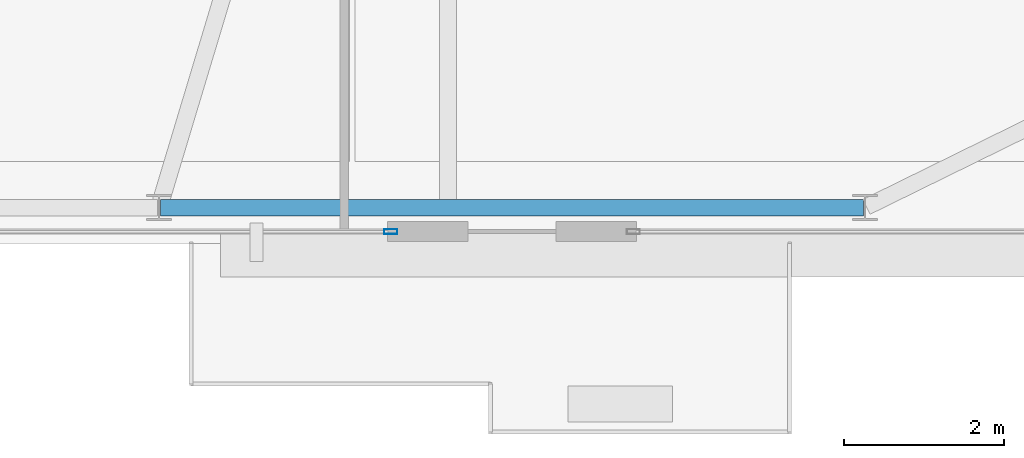
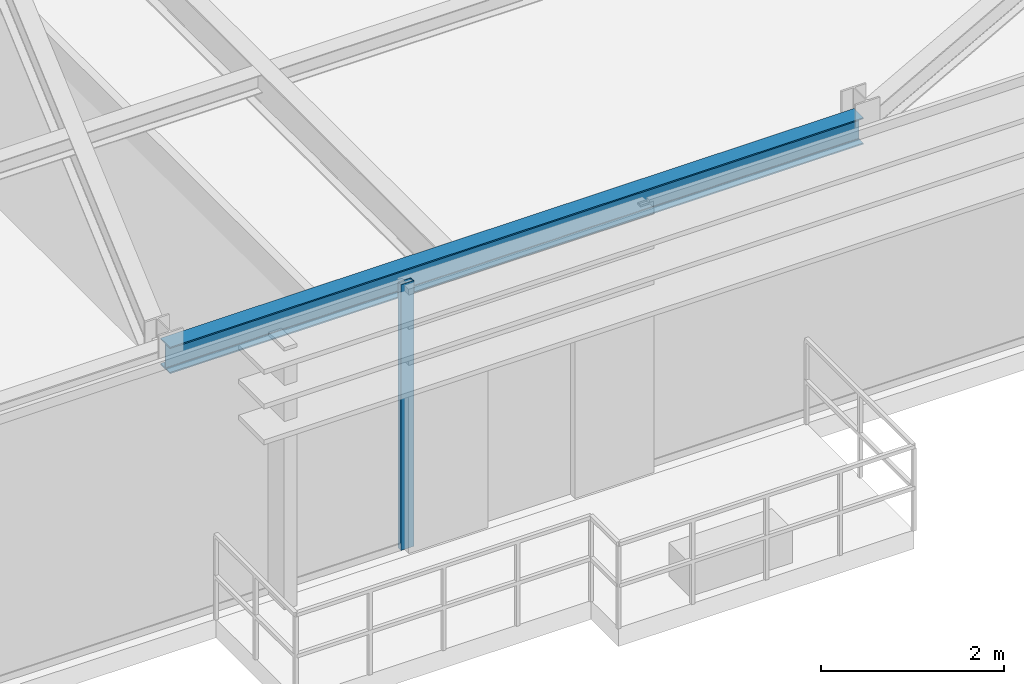
# One storey, part 7 of 23: 1 beam, 1 member, 1 element without a shape of its own.
"""IFC4 building model written with IfcOpenShell, lengths in metres."""

import ifcopenshell
import ifcopenshell.guid

model = None  # the IFC model being written
_history = None  # IfcOwnerHistory: only IFC2X3 demands one
_inside = {}  # id of a spatial element -> (the spatial element, [elements in it])
_under = {}  # id of a project, library or spatial element -> (it, [spatial elements below it])
_declared = {}  # id of a project -> (the project, [libraries it declares])
_typed = {}  # id of a type object -> (the type object, [elements of that type])
_made_of = {}  # id of a material, layer set ... -> (it, [elements and type objects made of it])


def new_model(schema):
    """Start an empty IFC model of exactly this schema.

    Asked for "IFC4X3", IfcOpenShell would pick the latest addendum, in which some entities
    have other attributes; the version numbers below select the first issue.
    IFC2X3 requires an IfcOwnerHistory on every rooted entity: one is made here for all.
    """
    global model, _history
    if schema == "IFC4X3":
        model = ifcopenshell.file(schema_version=(4, 3, 0, 0))
    else:
        model = ifcopenshell.file(schema=schema)
    _inside.clear()
    _under.clear()
    _declared.clear()
    _typed.clear()
    _made_of.clear()
    _history = None
    if model.schema == "IFC2X3":
        org = make("IfcOrganization", Name="unknown")
        user = make(
            "IfcPersonAndOrganization",
            ThePerson=make("IfcPerson", FamilyName="unknown"),
            TheOrganization=org,
        )
        app = make(
            "IfcApplication",
            ApplicationDeveloper=org,
            Version="unknown",
            ApplicationFullName="unknown",
            ApplicationIdentifier="unknown",
        )
        _history = make(
            "IfcOwnerHistory",
            OwningUser=user,
            OwningApplication=app,
            ChangeAction="ADDED",
            CreationDate=0,
        )
    return model


def make(cls, **values):
    """One entity of the class cls with the attributes given. An attribute that is None is left unset."""
    return model.create_entity(
        cls, **{name: value for name, value in values.items() if value is not None}
    )


def rooted(cls, **values):
    """An entity with a GlobalId (a new one), such as an element, a storey or a relation."""
    return make(cls, GlobalId=ifcopenshell.guid.new(), OwnerHistory=_history, **values)


def si_unit(unit_type, name, prefix=None):
    """IfcSIUnit, for example si_unit("LENGTHUNIT", "METRE", prefix="MILLI")."""
    return make("IfcSIUnit", UnitType=unit_type, Prefix=prefix, Name=name)


def assignment(units):
    """IfcUnitAssignment: the units of a project."""
    return None if units is None else make("IfcUnitAssignment", Units=units)


def point(xyz):
    """IfcCartesianPoint."""
    return None if xyz is None else make("IfcCartesianPoint", Coordinates=xyz)


def direction(xyz):
    """IfcDirection."""
    return None if xyz is None else make("IfcDirection", DirectionRatios=xyz)


def frame(location, z_axis=None, x_axis=None):
    """IfcAxis2Placement3D, a coordinate frame: its origin and axes. An axis left out is left unset."""
    return make(
        "IfcAxis2Placement3D",
        Location=point(location),
        Axis=direction(z_axis),
        RefDirection=direction(x_axis),
    )


def frame_2d(location, x_axis=None):
    """IfcAxis2Placement2D, a coordinate frame in the plane: its origin and x axis."""
    return make(
        "IfcAxis2Placement2D", Location=point(location), RefDirection=direction(x_axis)
    )


def origin():
    """The frame at (0, 0, 0) with its axes left unset."""
    return frame((0.0, 0.0, 0.0))


def origin_2d():
    """The frame at (0, 0) in the plane with its x axis left unset."""
    return frame_2d((0.0, 0.0))


def place(relative_to, where):
    """IfcLocalPlacement: puts the frame where relative to a parent placement (None: the world)."""
    return make(
        "IfcLocalPlacement", PlacementRelTo=relative_to, RelativePlacement=where
    )


def context(
    kind, dimensions, precision=None, world=None, true_north=None, identifier=None
):
    """IfcGeometricRepresentationContext, for example the 3D "Model" context."""
    return make(
        "IfcGeometricRepresentationContext",
        ContextIdentifier=identifier,
        ContextType=kind,
        CoordinateSpaceDimension=dimensions,
        Precision=precision,
        WorldCoordinateSystem=world,
        TrueNorth=true_north,
    )


def subcontext(parent, identifier, kind, view, scale=None):
    """IfcGeometricRepresentationSubContext, for example "Body" below "Model"."""
    return make(
        "IfcGeometricRepresentationSubContext",
        ContextIdentifier=identifier,
        ContextType=kind,
        ParentContext=parent,
        TargetScale=scale,
        TargetView=view,
    )


def project(units=None, contexts=None):
    """IfcProject with its units and contexts."""
    return rooted(
        "IfcProject",
        Name="project",
        RepresentationContexts=contexts,
        UnitsInContext=assignment(units),
    )


def spatial(cls, under=None, at=None, **own):
    """A site, building, storey or space (cls), placed at a placement, below another one or the project."""
    s = rooted(cls, ObjectPlacement=at, **own)
    if under is not None:
        _under.setdefault(under.id(), (under, []))[1].append(s)
    return s


def profile(cls, at=None, kind="AREA", **sizes):
    """A parametric profile (cls). Its sizes go by their IFC names, for example OverallWidth=200.0."""
    return make(cls, ProfileType=kind, Position=at, **sizes)


def hollow_rectangle(**sizes):
    """IfcRectangleHollowProfileDef."""
    return profile("IfcRectangleHollowProfileDef", **sizes)


def i_section(**sizes):
    """IfcIShapeProfileDef."""
    return profile("IfcIShapeProfileDef", **sizes)


def extrude(swept, where, along, depth):
    """IfcExtrudedAreaSolid: the profile swept, set in the frame where, extruded along a direction by depth."""
    return make(
        "IfcExtrudedAreaSolid",
        SweptArea=swept,
        Position=where,
        ExtrudedDirection=direction(along),
        Depth=depth,
    )


def shape(context_of_items, identifier, shape_type, items):
    """IfcShapeRepresentation: the items that make up one representation, for example the "Body"."""
    return make(
        "IfcShapeRepresentation",
        ContextOfItems=context_of_items,
        RepresentationIdentifier=identifier,
        RepresentationType=shape_type,
        Items=items,
    )


def source(mapping_origin, context_of_items, identifier, shape_type, items):
    """IfcRepresentationMap: a shape defined once, which mapped items show again and again."""
    return make(
        "IfcRepresentationMap",
        MappingOrigin=mapping_origin,
        MappedRepresentation=shape(context_of_items, identifier, shape_type, items),
    )


def transform(
    local_origin,
    x_axis=None,
    y_axis=None,
    z_axis=None,
    scale=None,
    scale2=None,
    scale3=None,
    uniform=True,
):
    """IfcCartesianTransformationOperator3D, or its non-uniform kind. x_axis, y_axis, z_axis: its Axis1, 2, 3."""
    if uniform:
        return make(
            "IfcCartesianTransformationOperator3D",
            Axis1=direction(x_axis),
            Axis2=direction(y_axis),
            LocalOrigin=point(local_origin),
            Scale=scale,
            Axis3=direction(z_axis),
        )
    return make(
        "IfcCartesianTransformationOperator3DnonUniform",
        Axis1=direction(x_axis),
        Axis2=direction(y_axis),
        LocalOrigin=point(local_origin),
        Scale=scale,
        Axis3=direction(z_axis),
        Scale2=scale2,
        Scale3=scale3,
    )


def mapped(mapping_source, mapping_target):
    """IfcMappedItem: shows the shape of a source again, moved by a transform."""
    return make(
        "IfcMappedItem", MappingSource=mapping_source, MappingTarget=mapping_target
    )


def material(Name=None, Category=None):
    """IfcMaterial."""
    return make("IfcMaterial", Name=Name, Category=Category)


def layer(
    of_material, thickness, ventilated=None, Name=None, Category=None, Priority=None
):
    """IfcMaterialLayer: one layer of a wall or slab, of a material (None: an air gap)."""
    return make(
        "IfcMaterialLayer",
        Material=of_material,
        LayerThickness=thickness,
        IsVentilated=ventilated,
        Name=Name,
        Category=Category,
        Priority=Priority,
    )


def layer_set(layers, Name=None):
    """IfcMaterialLayerSet."""
    return make("IfcMaterialLayerSet", MaterialLayers=layers, LayerSetName=Name)


def material_profile(
    of_material, cross_section, Name=None, Category=None, Priority=None
):
    """IfcMaterialProfile: a cross section and its material."""
    return make(
        "IfcMaterialProfile",
        Name=Name,
        Material=of_material,
        Profile=cross_section,
        Priority=Priority,
        Category=Category,
    )


def profile_set(profiles, Name=None, composite=None):
    """IfcMaterialProfileSet."""
    return make(
        "IfcMaterialProfileSet",
        Name=Name,
        MaterialProfiles=profiles,
        CompositeProfile=composite,
    )


def made_of(thing, what):
    """Note that an element or type object is made of a material, layer set ...; save() writes the relation."""
    if what is not None:
        _made_of.setdefault(what.id(), (what, []))[1].append(thing)
    return thing


def type_object(cls, material=None, **own):
    """A type object (cls), such as IfcWallType, which elements share."""
    return made_of(rooted(cls, **own), material)


def type_shapes(of_type, sources):
    """Give a type object the sources (RepresentationMaps) that its elements show as mapped items."""
    of_type.RepresentationMaps = sources


def element(
    cls,
    number,
    at=None,
    inside=None,
    cuts=None,
    type_object=None,
    material=None,
    context=None,
    identifier="Body",
    shape_type=None,
    held_by="IfcProductDefinitionShape",
    body=None,
    shapes=None,
    **own,
):
    """One element of the class cls, such as IfcWall. Its Tag is "e" and its number.

    at: its placement. inside: the storey or other place that contains it. cuts: it is an
    opening in that element (IfcRelVoidsElement). A single representation is given by context,
    identifier, shape_type and body (its items); several are given by shapes. held_by: the class
    of the entity that holds the representations. save() writes the other relations.
    """
    e = rooted(cls, Tag="e%d" % number, ObjectPlacement=at, **own)
    if body is not None:
        shapes = [shape(context, identifier, shape_type, body)]
    if shapes is not None:
        e.Representation = make(held_by, Representations=shapes)
    if inside is not None:
        _inside.setdefault(inside.id(), (inside, []))[1].append(e)
    if cuts is not None:
        rooted(
            "IfcRelVoidsElement", RelatingBuildingElement=cuts, RelatedOpeningElement=e
        )
    if type_object is not None:
        _typed.setdefault(type_object.id(), (type_object, []))[1].append(e)
    return made_of(e, material)


def aggregate(whole, parts):
    """IfcRelAggregates: a whole, such as a stair, and the parts it consists of."""
    return rooted("IfcRelAggregates", RelatingObject=whole, RelatedObjects=parts)


def save(model, path):
    """Write the relations noted so far, then the file.

    IfcRelAggregates (storeys below a building ...), IfcRelContainedInSpatialStructure (elements
    in a storey), IfcRelDefinesByType, IfcRelAssociatesMaterial and IfcRelDeclares: one each for
    every whole, place, type object, material and project.
    """
    for whole, parts in _under.values():
        aggregate(whole, parts)
    for where, things in _inside.values():
        rooted(
            "IfcRelContainedInSpatialStructure",
            RelatedElements=things,
            RelatingStructure=where,
        )
    for kind, things in _typed.values():
        rooted("IfcRelDefinesByType", RelatedObjects=things, RelatingType=kind)
    for what, things in _made_of.values():
        rooted("IfcRelAssociatesMaterial", RelatedObjects=things, RelatingMaterial=what)
    for by, libraries in _declared.values():
        rooted("IfcRelDeclares", RelatingContext=by, RelatedDefinitions=libraries)
    model.write(path)


model = new_model("IFC4")

# Units and contexts
model_context = context("Model", 3, precision=1e-05, world=origin(), true_north=direction((0.0, 1.0)))
body_context = subcontext(model_context, "Body", "Model", "MODEL_VIEW")
ifc_project = project(units=[si_unit("LENGTHUNIT", "METRE"), si_unit("AREAUNIT", "SQUARE_METRE"), si_unit("VOLUMEUNIT", "CUBIC_METRE"), si_unit("PLANEANGLEUNIT", "RADIAN"), si_unit("MASSUNIT", "GRAM", prefix="KILO")], contexts=[model_context])

# Site, building, storey
site_placement = place(None, origin())
site = spatial("IfcSite", under=ifc_project, at=site_placement, CompositionType="ELEMENT")
building_placement = place(site_placement, origin())
building = spatial("IfcBuilding", under=site, at=building_placement, Name="Varnel Quay Broadcast Tower", CompositionType="ELEMENT")
storey_placement = place(building_placement, frame((0.0, 0.0, 266.0)))
storey = spatial("IfcBuildingStorey", under=building, at=storey_placement, Name="L66", CompositionType="ELEMENT", Elevation=266.0)

# Beam
ifc_material_1 = material(Name="Structural Steel CSA G40.21 350W", Category="steel")
ifc_material_profile_1 = material_profile(ifc_material_1, i_section(OverallWidth=0.205078125, OverallDepth=0.35400390625, WebThickness=0.009521484375, FlangeThickness=0.016845703125, FilletRadius=0.012939453125, at=origin_2d()), Name="W360X79")
ifc_profile_set_1 = profile_set([ifc_material_profile_1], Name="Structural Steel CSA G40.21 350W")
beam_type = type_object("IfcBeamType", Name="Beam_W360X79", PredefinedType="SPANDREL", material=ifc_profile_set_1)
shared_shape_1 = source(origin(), body_context, "Body", "SweptSolid", [
    extrude(i_section(OverallWidth=0.205078125, OverallDepth=0.35400390625, WebThickness=0.009521484375, FlangeThickness=0.016845703125, FilletRadius=0.012939453125, at=origin_2d()), origin(), (0.0, 0.0, 1.0), 8.760009765625),
])
type_shapes(beam_type, [shared_shape_1])
beam_placement = place(storey_placement, frame((38.419921875, 13.64990234375, 3.373046875), z_axis=(1.0, 0.0, 0.0), x_axis=(0.0, 1.0, 0.0)))
element("IfcBeam", 1, at=beam_placement, inside=storey, type_object=beam_type, Name="L66 South Spandrel TC-S3-TC-S4", PredefinedType="SPANDREL", context=body_context, shape_type="MappedRepresentation", body=[
    mapped(shared_shape_1, transform((0.0, 0.0, 0.0), x_axis=(1.0, 0.0, 0.0), y_axis=(0.0, 1.0, 0.0), z_axis=(0.0, 0.0, 1.0), scale=1.0)),
])

# Curtain wall, member
ifc_material_2 = material(Name="Anodised Bronze Aluminium 6063-T6", Category="aluminium")
ifc_layer = layer(ifc_material_2, 0.18994140625, Name="Anodised Bronze Aluminium 6063-T6")
ifc_layer_set = layer_set([ifc_layer], Name="Anodised Bronze Aluminium 6063-T6")
curtain_wall_type = type_object("IfcCurtainWallType", Name="CW_UpperTower", PredefinedType="NOTDEFINED", material=ifc_layer_set)
curtain_wall_placement = place(storey_placement, origin())
curtain_wall = element("IfcCurtainWall", 2, at=curtain_wall_placement, inside=storey, type_object=curtain_wall_type, Name="L66 South Unitised Curtain Wall 2", PredefinedType="NOTDEFINED")
ifc_material_profile_2 = material_profile(ifc_material_2, hollow_rectangle(XDim=0.06494140625, YDim=0.1650390625, WallThickness=0.00341796875, at=origin_2d()), Name="ALU65X165X3.5")
ifc_profile_set_2 = profile_set([ifc_material_profile_2], Name="Anodised Bronze Aluminium 6063-T6")
member_type = type_object("IfcMemberType", Name="Mull_CWS-03", PredefinedType="MULLION", material=ifc_profile_set_2)
shared_shape_2 = source(origin(), body_context, "Body", "SweptSolid", [
    extrude(hollow_rectangle(XDim=0.06494140625, YDim=0.1650390625, WallThickness=0.00341796875, at=origin_2d()), origin(), (0.0, 0.0, 1.0), 3.550048828125),
])
type_shapes(member_type, [shared_shape_2])
member_placement = place(storey_placement, frame((41.28759765625, 13.35009765625, 0.0), z_axis=(0.0, 0.0, 1.0), x_axis=(0.0, 1.0, 0.0)))
member = element("IfcMember", 3, at=member_placement, type_object=member_type, Name="CWS-03 mullion 2", PredefinedType="MULLION", context=body_context, shape_type="MappedRepresentation", body=[
    mapped(shared_shape_2, transform((0.0, 0.0, 0.0), x_axis=(1.0, 0.0, 0.0), y_axis=(0.0, 1.0, 0.0), z_axis=(0.0, 0.0, 1.0), scale=1.0)),
])
aggregate(curtain_wall, [member])

save(model, "model.ifc")
